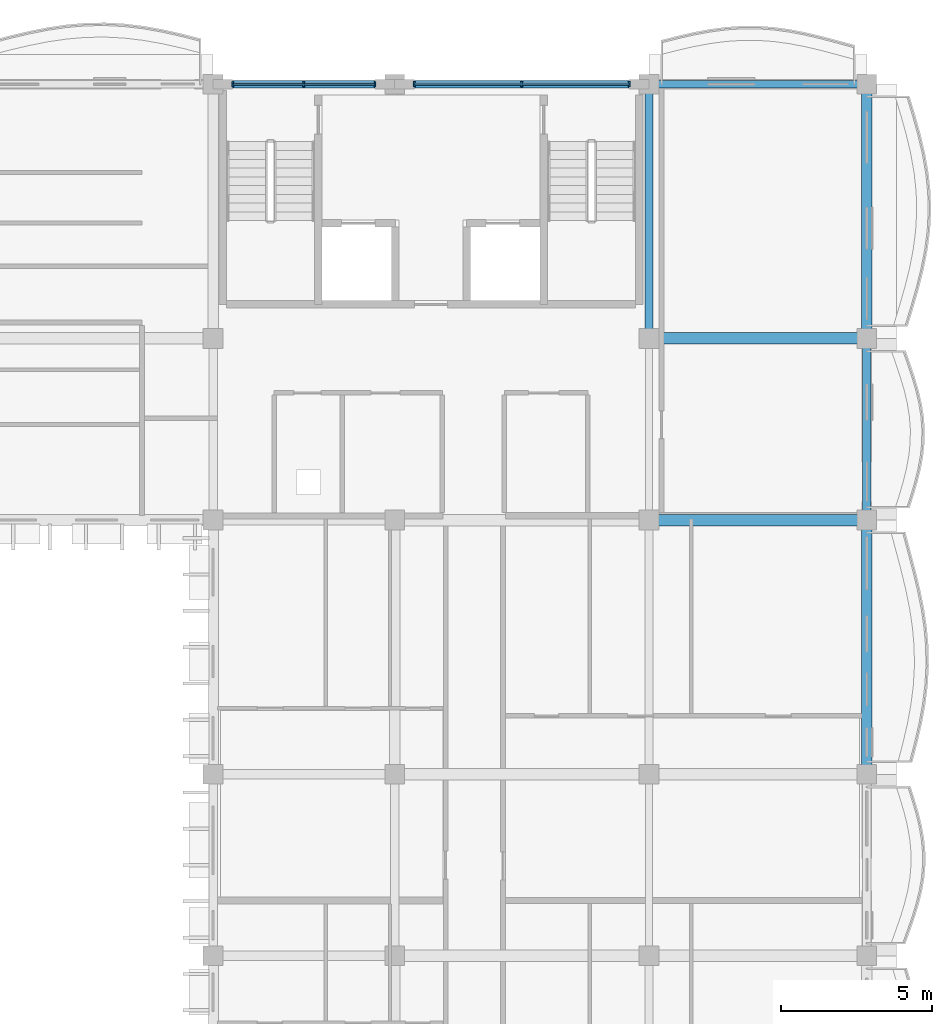
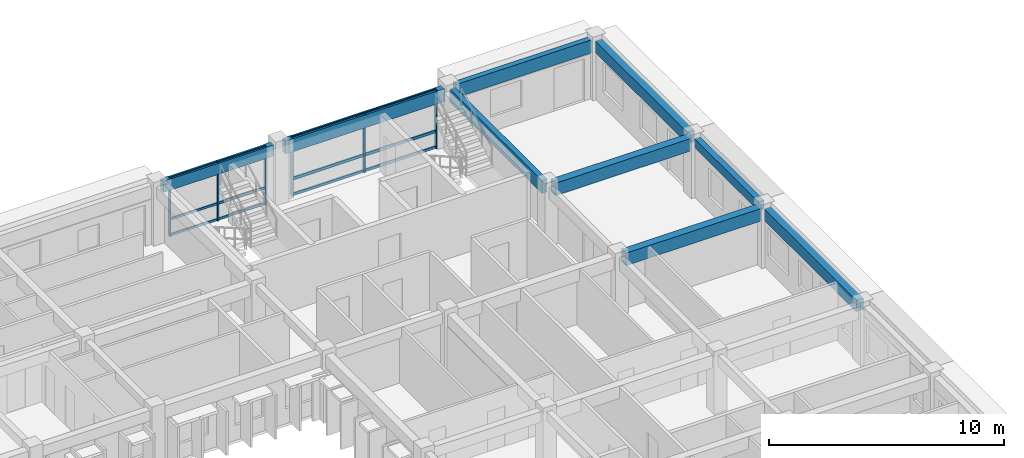
# One storey, part 9 of 66: 12 members, 9 beams, 2 elements without a shape of their own.
"""IFC4 building model written with IfcOpenShell, lengths in metres."""

from ifc_helpers import new_model, si_unit, direction, frame, origin, origin_2d, place, context, subcontext, project, spatial, rectangle, extrude, material, material_profile, profile_set, type_object, element, aggregate, save


model = new_model("IFC4")

# Units and contexts
model_context = context("Model", 3, precision=1e-05, world=origin(), true_north=direction((0.0, 1.0)))
body_context = subcontext(model_context, "Body", "Model", "MODEL_VIEW")
ifc_project = project(units=[si_unit("LENGTHUNIT", "METRE"), si_unit("AREAUNIT", "SQUARE_METRE"), si_unit("VOLUMEUNIT", "CUBIC_METRE"), si_unit("PLANEANGLEUNIT", "RADIAN"), si_unit("MASSUNIT", "GRAM", prefix="KILO"), si_unit("THERMODYNAMICTEMPERATUREUNIT", "KELVIN")], contexts=[model_context])

# Site, building, storey
site_placement = place(None, origin())
site = spatial("IfcSite", under=ifc_project, at=site_placement, CompositionType="ELEMENT")
building_placement = place(site_placement, origin())
building = spatial("IfcBuilding", under=site, at=building_placement, Name="Thalorik Housing Commons", CompositionType="ELEMENT")
storey_placement = place(building_placement, frame((0.0, 0.0, 21.300048828125)))
storey = spatial("IfcBuildingStorey", under=building, at=storey_placement, Name="L06", CompositionType="ELEMENT", Elevation=21.300048828125)

# Curtain wall, members
ifc_material_1 = material(Name="Anodised aluminium and solar-control low-E glass", Category="aluminium")
curtain_wall_type = type_object("IfcCurtainWallType", Name="ARC-CW-CORE", PredefinedType="USERDEFINED", material=ifc_material_1)
curtain_wall_1_placement = place(storey_placement, origin())
curtain_wall_1 = element("IfcCurtainWall", 1, at=curtain_wall_1_placement, inside=storey, type_object=curtain_wall_type, Name="L06 Curtain Wall CW-CORE-L06-B-100", ObjectType="CURTAIN WALL", PredefinedType="USERDEFINED")
ifc_material_2 = material(Name="Anodised aluminium 6063-T6", Category="aluminium")
ifc_material_profile_1 = material_profile(ifc_material_2, rectangle(XDim=0.06005859375, YDim=0.159912109375, at=origin_2d()), Name="ALU MUL 60x160", Category="aluminium")
ifc_profile_set_1 = profile_set([ifc_material_profile_1], Name="Anodised aluminium 6063-T6")
member_type_1 = type_object("IfcMemberType", Name="ARC-CW-MUL-60x160", PredefinedType="MULLION", material=ifc_profile_set_1)
member_1_placement = place(storey_placement, frame((157.75, 123.60009765625, 0.0), z_axis=(0.0, 0.0, 1.0), x_axis=(-1.0, 0.0, 0.0)))
member_1 = element("IfcMember", 2, at=member_1_placement, type_object=member_type_1, Name="CW-CORE-L06-B-100 Mullion 1", PredefinedType="MULLION", context=body_context, shape_type="SweptSolid", body=[
    extrude(rectangle(XDim=0.06005859375, YDim=0.159912109375, at=origin_2d()), origin(), (0.0, 0.0, 1.0), 3.0400390625),
])
member_2_placement = place(storey_placement, frame((155.39990234375, 123.60009765625, 0.0), z_axis=(0.0, 0.0, 1.0), x_axis=(-1.0, 0.0, 0.0)))
member_2 = element("IfcMember", 3, at=member_2_placement, type_object=member_type_1, Name="CW-CORE-L06-B-100 Mullion 2", PredefinedType="MULLION", context=body_context, shape_type="SweptSolid", body=[
    extrude(rectangle(XDim=0.06005859375, YDim=0.159912109375, at=origin_2d()), origin(), (0.0, 0.0, 1.0), 3.0400390625),
])
member_3_placement = place(storey_placement, frame((153.050048828125, 123.60009765625, 0.0), z_axis=(0.0, 0.0, 1.0), x_axis=(-1.0, 0.0, 0.0)))
member_3 = element("IfcMember", 4, at=member_3_placement, type_object=member_type_1, Name="CW-CORE-L06-B-100 Mullion 3", PredefinedType="MULLION", context=body_context, shape_type="SweptSolid", body=[
    extrude(rectangle(XDim=0.06005859375, YDim=0.159912109375, at=origin_2d()), origin(), (0.0, 0.0, 1.0), 3.0400390625),
])

curtain_wall_2_placement = place(storey_placement, origin())
curtain_wall_2 = element("IfcCurtainWall", 5, at=curtain_wall_2_placement, inside=storey, type_object=curtain_wall_type, Name="L06 Curtain Wall CW-CORE-L06-B-099", ObjectType="CURTAIN WALL", PredefinedType="USERDEFINED")
ifc_material_profile_2 = material_profile(ifc_material_2, rectangle(XDim=0.06494140625, YDim=0.179931640625, at=origin_2d()), Name="ALU MUL 65x180", Category="aluminium")
ifc_profile_set_2 = profile_set([ifc_material_profile_2], Name="Anodised aluminium 6063-T6")
member_type_2 = type_object("IfcMemberType", Name="ARC-CW-MUL-65x180", PredefinedType="MULLION", material=ifc_profile_set_2)
member_4_placement = place(storey_placement, frame((166.14990234375, 123.60009765625, 0.0), z_axis=(0.0, 0.0, 1.0), x_axis=(-1.0, 0.0, 0.0)))
member_4 = element("IfcMember", 6, at=member_4_placement, type_object=member_type_2, Name="CW-CORE-L06-B-099 Mullion 1", PredefinedType="MULLION", context=body_context, shape_type="SweptSolid", body=[
    extrude(rectangle(XDim=0.06494140625, YDim=0.179931640625, at=origin_2d()), origin(), (0.0, 0.0, 1.0), 3.0400390625),
])
member_5_placement = place(storey_placement, frame((162.60009765625, 123.60009765625, 0.0), z_axis=(0.0, 0.0, 1.0), x_axis=(-1.0, 0.0, 0.0)))
member_5 = element("IfcMember", 7, at=member_5_placement, type_object=member_type_2, Name="CW-CORE-L06-B-099 Mullion 2", PredefinedType="MULLION", context=body_context, shape_type="SweptSolid", body=[
    extrude(rectangle(XDim=0.06494140625, YDim=0.179931640625, at=origin_2d()), origin(), (0.0, 0.0, 1.0), 3.0400390625),
])
member_6_placement = place(storey_placement, frame((159.050048828125, 123.60009765625, 0.0), z_axis=(0.0, 0.0, 1.0), x_axis=(-1.0, 0.0, 0.0)))
member_6 = element("IfcMember", 8, at=member_6_placement, type_object=member_type_2, Name="CW-CORE-L06-B-099 Mullion 3", PredefinedType="MULLION", context=body_context, shape_type="SweptSolid", body=[
    extrude(rectangle(XDim=0.06494140625, YDim=0.179931640625, at=origin_2d()), origin(), (0.0, 0.0, 1.0), 3.0400390625),
])

# Member
ifc_material_profile_3 = material_profile(ifc_material_2, rectangle(XDim=0.06005859375, YDim=0.1201171875, at=origin_2d()), Name="ALU TRN 60x120", Category="aluminium")
ifc_profile_set_3 = profile_set([ifc_material_profile_3], Name="Anodised aluminium 6063-T6")
member_type_3 = type_object("IfcMemberType", Name="ARC-CW-TRN-60x120", PredefinedType="USERDEFINED", material=ifc_profile_set_3)
member_7_placement = place(storey_placement, frame((157.75, 123.60009765625, 0.054931640625), z_axis=(-1.0, 0.0, 0.0), x_axis=(0.0, -1.0, 0.0)))
member_7 = element("IfcMember", 9, at=member_7_placement, type_object=member_type_3, Name="CW-CORE-L06-B-100 Transom 1", ObjectType="TRANSOM", PredefinedType="USERDEFINED", context=body_context, shape_type="SweptSolid", body=[
    extrude(rectangle(XDim=0.06005859375, YDim=0.1201171875, at=origin_2d()), origin(), (0.0, 0.0, 1.0), 4.699951171875),
])

member_8_placement = place(storey_placement, frame((157.75, 123.60009765625, 0.8798828125), z_axis=(-1.0, 0.0, 0.0), x_axis=(0.0, -1.0, 0.0)))
member_8 = element("IfcMember", 10, at=member_8_placement, type_object=member_type_3, Name="CW-CORE-L06-B-100 Transom 2", ObjectType="TRANSOM", PredefinedType="USERDEFINED", context=body_context, shape_type="SweptSolid", body=[
    extrude(rectangle(XDim=0.06005859375, YDim=0.1201171875, at=origin_2d()), origin(), (0.0, 0.0, 1.0), 4.699951171875),
])

member_9_placement = place(storey_placement, frame((157.75, 123.60009765625, 2.98486328125), z_axis=(-1.0, 0.0, 0.0), x_axis=(0.0, -1.0, 0.0)))
member_9 = element("IfcMember", 11, at=member_9_placement, type_object=member_type_3, Name="CW-CORE-L06-B-100 Transom 3", ObjectType="TRANSOM", PredefinedType="USERDEFINED", context=body_context, shape_type="SweptSolid", body=[
    extrude(rectangle(XDim=0.06005859375, YDim=0.1201171875, at=origin_2d()), origin(), (0.0, 0.0, 1.0), 4.699951171875),
])

aggregate(curtain_wall_1, [member_1, member_2, member_3, member_7, member_8, member_9])

ifc_material_profile_4 = material_profile(ifc_material_2, rectangle(XDim=0.06494140625, YDim=0.14990234375, at=origin_2d()), Name="ALU TRN 65x150", Category="aluminium")
ifc_profile_set_4 = profile_set([ifc_material_profile_4], Name="Anodised aluminium 6063-T6")
member_type_4 = type_object("IfcMemberType", Name="ARC-CW-TRN-65x150", PredefinedType="USERDEFINED", material=ifc_profile_set_4)
member_10_placement = place(storey_placement, frame((166.14990234375, 123.60009765625, 0.054931640625), z_axis=(-1.0, 0.0, 0.0), x_axis=(0.0, -1.0, 0.0)))
member_10 = element("IfcMember", 12, at=member_10_placement, type_object=member_type_4, Name="CW-CORE-L06-B-099 Transom 1", ObjectType="TRANSOM", PredefinedType="USERDEFINED", context=body_context, shape_type="SweptSolid", body=[
    extrude(rectangle(XDim=0.06494140625, YDim=0.14990234375, at=origin_2d()), origin(), (0.0, 0.0, 1.0), 7.099853515625),
])

member_11_placement = place(storey_placement, frame((166.14990234375, 123.60009765625, 0.8798828125), z_axis=(-1.0, 0.0, 0.0), x_axis=(0.0, -1.0, 0.0)))
member_11 = element("IfcMember", 13, at=member_11_placement, type_object=member_type_4, Name="CW-CORE-L06-B-099 Transom 2", ObjectType="TRANSOM", PredefinedType="USERDEFINED", context=body_context, shape_type="SweptSolid", body=[
    extrude(rectangle(XDim=0.06494140625, YDim=0.14990234375, at=origin_2d()), origin(), (0.0, 0.0, 1.0), 7.099853515625),
])

member_12_placement = place(storey_placement, frame((166.14990234375, 123.60009765625, 2.98486328125), z_axis=(-1.0, 0.0, 0.0), x_axis=(0.0, -1.0, 0.0)))
member_12 = element("IfcMember", 14, at=member_12_placement, type_object=member_type_4, Name="CW-CORE-L06-B-099 Transom 3", ObjectType="TRANSOM", PredefinedType="USERDEFINED", context=body_context, shape_type="SweptSolid", body=[
    extrude(rectangle(XDim=0.06494140625, YDim=0.14990234375, at=origin_2d()), origin(), (0.0, 0.0, 1.0), 7.099853515625),
])

aggregate(curtain_wall_2, [member_4, member_5, member_6, member_10, member_11, member_12])

# Beams
ifc_material_3 = material(Name="Precast concrete C40/50", Category="concrete")
ifc_material_profile_5 = material_profile(ifc_material_3, rectangle(XDim=0.280029296875, YDim=0.449951171875, at=origin_2d()), Name="PC 280x450", Category="concrete")
ifc_profile_set_5 = profile_set([ifc_material_profile_5], Name="Precast concrete C40/50")
beam_type_1 = type_object("IfcBeamType", Name="STR-BM-PC280x450", PredefinedType="BEAM", material=ifc_profile_set_5)
beam_1_placement = place(storey_placement, frame((174.0, 109.47509765625, 2.81494140625), z_axis=(0.0, 1.0, 0.0), x_axis=(-1.0, 0.0, 0.0)))
element("IfcBeam", 15, at=beam_1_placement, inside=storey, type_object=beam_type_1, Name="L06 Beam B-450", PredefinedType="BEAM", context=body_context, shape_type="SweptSolid", body=[
    extrude(rectangle(XDim=0.280029296875, YDim=0.449951171875, at=origin_2d()), origin(), (0.0, 0.0, 1.0), 5.449951171875),
])
ifc_material_profile_6 = material_profile(ifc_material_3, rectangle(XDim=0.35009765625, YDim=0.60009765625, at=origin_2d()), Name="PC 350x600", Category="concrete")
ifc_profile_set_6 = profile_set([ifc_material_profile_6], Name="Precast concrete C40/50")
beam_type_2 = type_object("IfcBeamType", Name="STR-BM-PC350x600", PredefinedType="BEAM", material=ifc_profile_set_6)
beam_2_placement = place(storey_placement, frame((174.0, 101.074951171875, 2.739990234375), z_axis=(0.0, 1.0, 0.0), x_axis=(-1.0, 0.0, 0.0)))
element("IfcBeam", 16, at=beam_2_placement, inside=storey, type_object=beam_type_2, Name="L06 Beam B-600", PredefinedType="BEAM", context=body_context, shape_type="SweptSolid", body=[
    extrude(rectangle(XDim=0.35009765625, YDim=0.60009765625, at=origin_2d()), origin(), (0.0, 0.0, 1.0), 7.85009765625),
])
beam_3_placement = place(storey_placement, frame((174.0, 115.47509765625, 2.739990234375), z_axis=(0.0, 1.0, 0.0), x_axis=(-1.0, 0.0, 0.0)))
element("IfcBeam", 17, at=beam_3_placement, inside=storey, type_object=beam_type_2, Name="L06 Beam B-600", PredefinedType="BEAM", context=body_context, shape_type="SweptSolid", body=[
    extrude(rectangle(XDim=0.35009765625, YDim=0.60009765625, at=origin_2d()), origin(), (0.0, 0.0, 1.0), 7.849853515625),
])
ifc_material_profile_7 = material_profile(ifc_material_3, rectangle(XDim=0.3798828125, YDim=0.64990234375, at=origin_2d()), Name="PC 380x650", Category="concrete")
ifc_profile_set_7 = profile_set([ifc_material_profile_7], Name="Precast concrete C40/50")
beam_type_3 = type_object("IfcBeamType", Name="STR-BM-PC380x650", PredefinedType="BEAM", material=ifc_profile_set_7)
for number, where, z_axis, x_axis, name in (
    (18, (167.074951171875, 109.199951171875, 2.71484375), (1.0, 0.0, 0.0), (0.0, 1.0, 0.0), "L06 Beam B-650"),
    (19, (167.074951171875, 115.199951171875, 2.71484375), (1.0, 0.0, 0.0), (0.0, 1.0, 0.0), "L06 Beam B-650"),
):
    element("IfcBeam", number, at=place(storey_placement, frame(where, z_axis=z_axis, x_axis=x_axis)), inside=storey, type_object=beam_type_3, Name=name, PredefinedType="BEAM", context=body_context, shape_type="SweptSolid", body=[
        extrude(rectangle(XDim=0.3798828125, YDim=0.64990234375, at=origin_2d()), origin(), (0.0, 0.0, 1.0), 6.650146484375),
    ])
ifc_material_profile_8 = material_profile(ifc_material_3, rectangle(XDim=0.239990234375, YDim=0.580078125, at=origin_2d()), Name="PC SP 240x580", Category="concrete")
ifc_profile_set_8 = profile_set([ifc_material_profile_8], Name="Precast concrete C40/50")
beam_type_4 = type_object("IfcBeamType", Name="STR-SP-PC240x580", PredefinedType="SPANDREL", material=ifc_profile_set_8)
beam_4_placement = place(storey_placement, frame((152.675048828125, 123.60009765625, 2.75), z_axis=(1.0, 0.0, 0.0), x_axis=(0.0, 1.0, 0.0)))
element("IfcBeam", 20, at=beam_4_placement, inside=storey, type_object=beam_type_4, Name="L06 Beam B-550", PredefinedType="SPANDREL", context=body_context, shape_type="SweptSolid", body=[
    extrude(rectangle(XDim=0.239990234375, YDim=0.580078125, at=origin_2d()), origin(), (0.0, 0.0, 1.0), 5.449951171875),
])
ifc_material_profile_9 = material_profile(ifc_material_3, rectangle(XDim=0.260009765625, YDim=0.679931640625, at=origin_2d()), Name="PC SP 260x680", Category="concrete")
ifc_profile_set_9 = profile_set([ifc_material_profile_9], Name="Precast concrete C40/50")
beam_type_5 = type_object("IfcBeamType", Name="STR-SP-PC260x680", PredefinedType="SPANDREL", material=ifc_profile_set_9)
beam_5_placement = place(storey_placement, frame((158.675048828125, 123.60009765625, 2.699951171875), z_axis=(1.0, 0.0, 0.0), x_axis=(0.0, 1.0, 0.0)))
element("IfcBeam", 21, at=beam_5_placement, inside=storey, type_object=beam_type_5, Name="L06 Beam B-650", PredefinedType="SPANDREL", context=body_context, shape_type="SweptSolid", body=[
    extrude(rectangle(XDim=0.260009765625, YDim=0.679931640625, at=origin_2d()), origin(), (0.0, 0.0, 1.0), 7.849853515625),
])
beam_6_placement = place(storey_placement, frame((167.074951171875, 123.60009765625, 2.699951171875), z_axis=(1.0, 0.0, 0.0), x_axis=(0.0, 1.0, 0.0)))
element("IfcBeam", 22, at=beam_6_placement, inside=storey, type_object=beam_type_5, Name="L06 Beam B-650", PredefinedType="SPANDREL", context=body_context, shape_type="SweptSolid", body=[
    extrude(rectangle(XDim=0.260009765625, YDim=0.679931640625, at=origin_2d()), origin(), (0.0, 0.0, 1.0), 6.650146484375),
])
beam_7_placement = place(storey_placement, frame((166.800048828125, 115.47509765625, 2.699951171875), z_axis=(0.0, 1.0, 0.0), x_axis=(-1.0, 0.0, 0.0)))
element("IfcBeam", 23, at=beam_7_placement, inside=storey, type_object=beam_type_5, Name="L06 Beam B-600", PredefinedType="SPANDREL", context=body_context, shape_type="SweptSolid", body=[
    extrude(rectangle(XDim=0.260009765625, YDim=0.679931640625, at=origin_2d()), origin(), (0.0, 0.0, 1.0), 7.849853515625),
])

save(model, "model.ifc")
